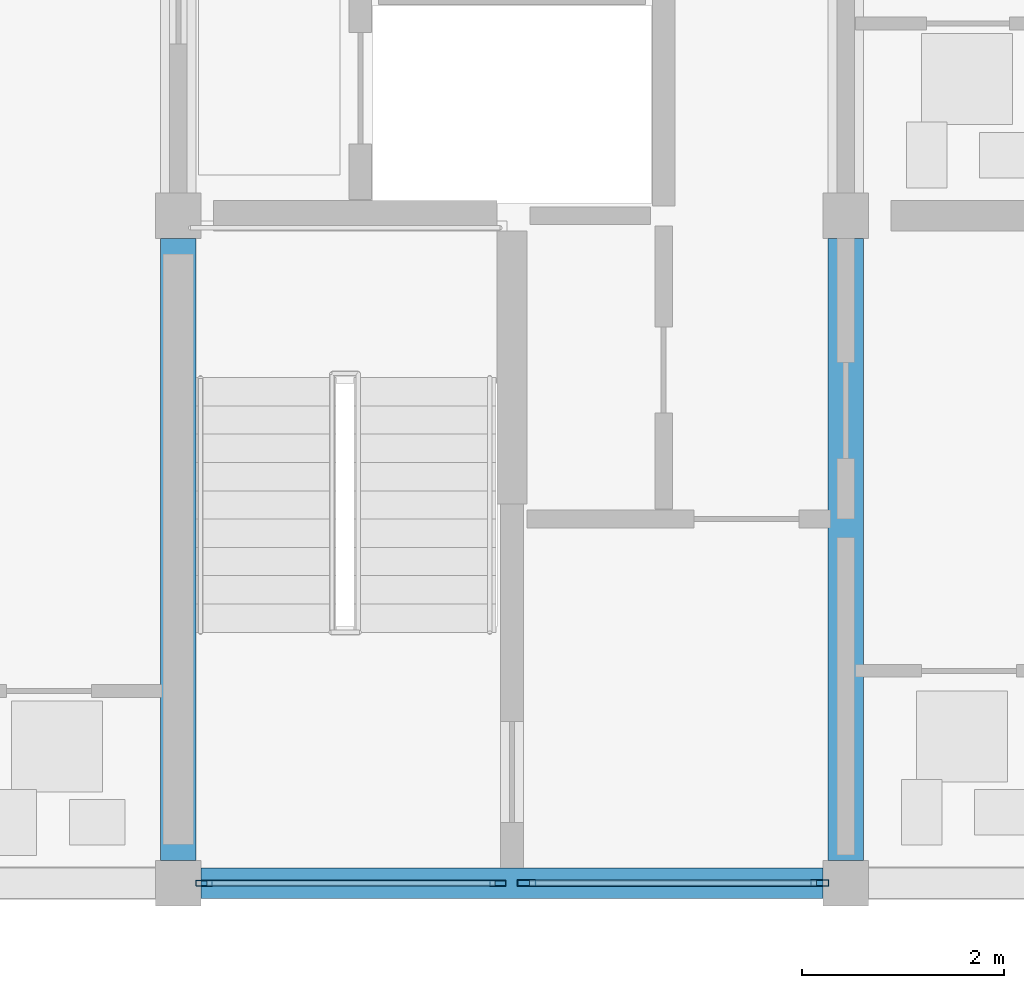
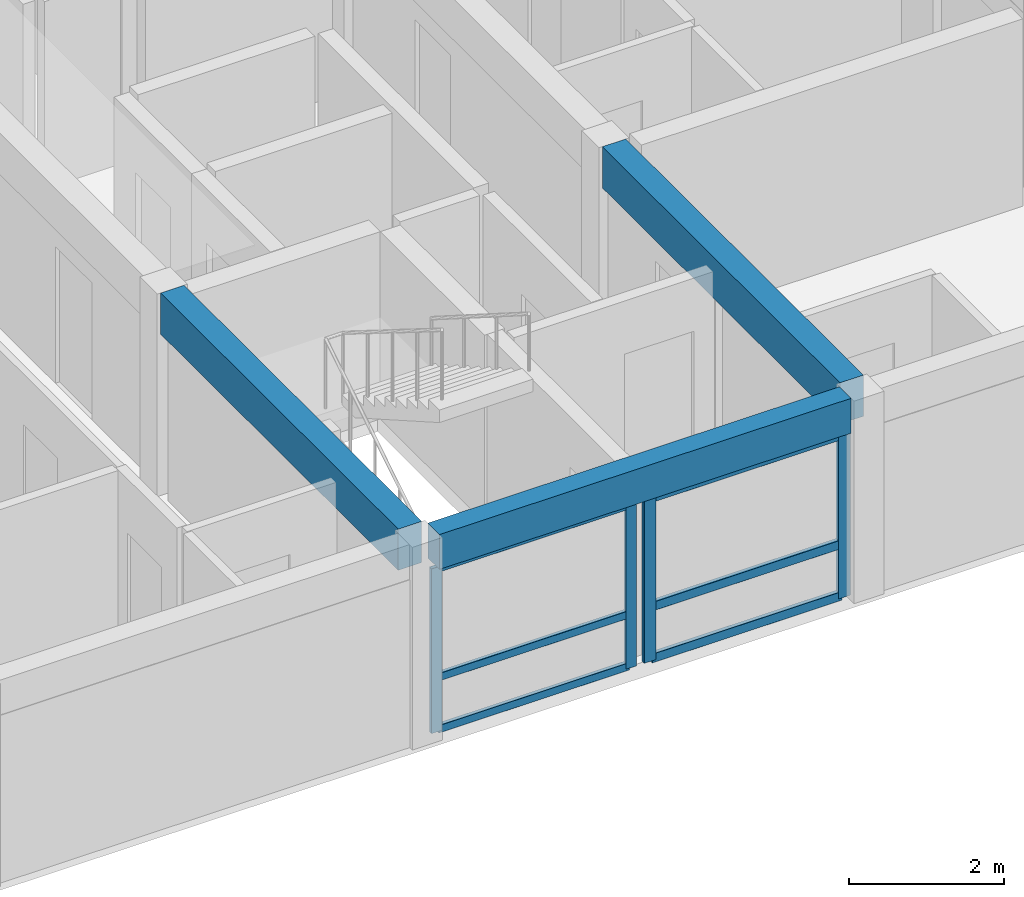
# One storey, part 12 of 53: 10 members, 3 beams, 2 elements without a shape of their own.
"""IFC4 building model written with IfcOpenShell, lengths in metres."""

from ifc_helpers import new_model, si_unit, direction, frame, origin, origin_2d, place, context, subcontext, project, spatial, rectangle, hollow_rectangle, extrude, material, material_profile, profile_set, type_object, element, aggregate, save


model = new_model("IFC4")

# Units and contexts
model_context = context("Model", 3, precision=1e-05, world=origin(), true_north=direction((0.0, 1.0)))
body_context = subcontext(model_context, "Body", "Model", "MODEL_VIEW")
ifc_project = project(units=[si_unit("LENGTHUNIT", "METRE"), si_unit("AREAUNIT", "SQUARE_METRE"), si_unit("VOLUMEUNIT", "CUBIC_METRE"), si_unit("PLANEANGLEUNIT", "RADIAN"), si_unit("MASSUNIT", "GRAM", prefix="KILO")], contexts=[model_context])

# Site, building, storey
site_placement = place(None, origin())
site = spatial("IfcSite", under=ifc_project, at=site_placement, CompositionType="ELEMENT")
building_placement = place(site_placement, origin())
building = spatial("IfcBuilding", under=site, at=building_placement, Name="Kernevlak Ridge Housing Community", CompositionType="ELEMENT")
storey_placement = place(building_placement, frame((0.0, 0.0, 18.0)))
storey = spatial("IfcBuildingStorey", under=building, at=storey_placement, Name="L05", CompositionType="ELEMENT", Elevation=18.0)

# Beams
ifc_material_1 = material(Name="Concrete C35/45", Category="concrete")
ifc_material_profile_1 = material_profile(ifc_material_1, rectangle(XDim=0.35009765625, YDim=0.64990234375, at=origin_2d()), Name="RC 350x650")
ifc_profile_set_1 = profile_set([ifc_material_profile_1], Name="Concrete C35/45")
beam_type_1 = type_object("IfcBeamType", Name="B-02", PredefinedType="BEAM", material=ifc_profile_set_1)
for number, where, z_axis, x_axis, name in (
    (1, (132.60009765625, 15.824951171875, 2.875), (0.0, 1.0, 0.0), (-1.0, 0.0, 0.0), "Beam B-02 L05 1116"),
    (2, (139.199951171875, 15.824951171875, 2.875), (0.0, 1.0, 0.0), (-1.0, 0.0, 0.0), "Beam B-02 L05 1120"),
):
    element("IfcBeam", number, at=place(storey_placement, frame(where, z_axis=z_axis, x_axis=x_axis)), inside=storey, type_object=beam_type_1, Name=name, PredefinedType="BEAM", context=body_context, shape_type="SweptSolid", body=[
        extrude(rectangle(XDim=0.35009765625, YDim=0.64990234375, at=origin_2d()), origin(), (0.0, 0.0, 1.0), 6.150146484375),
    ])

# Curtain wall, members
ifc_material_2 = material(Name="Aluminium EN AW-6060 anodised and laminated glass", Category="aluminium")
curtain_wall_type_1 = type_object("IfcCurtainWallType", Name="CW-07", PredefinedType="NOTDEFINED", material=ifc_material_2)
curtain_wall_1_placement = place(storey_placement, origin())
curtain_wall_1 = element("IfcCurtainWall", 3, at=curtain_wall_1_placement, inside=storey, type_object=curtain_wall_type_1, Name="Curtain wall CW-07 CW-L05-115", PredefinedType="NOTDEFINED")
ifc_material_3 = material(Name="Aluminium EN AW-6060 anodised", Category="aluminium")
ifc_material_profile_2 = material_profile(ifc_material_3, hollow_rectangle(XDim=0.06005859375, YDim=0.159912109375, WallThickness=0.00390625, InnerFilletRadius=0.001953125, OuterFilletRadius=0.00390625, at=origin_2d()), Name="ALU 60x160x4")
ifc_profile_set_2 = profile_set([ifc_material_profile_2], Name="Aluminium EN AW-6060 anodised")
member_type_1 = type_object("IfcMemberType", Name="MU-02", PredefinedType="MULLION", material=ifc_profile_set_2)
member_1_placement = place(storey_placement, frame((132.85498046875, 15.60009765625, 0.0), z_axis=(0.0, 0.0, 1.0), x_axis=(0.0, 1.0, 0.0)))
member_1 = element("IfcMember", 4, at=member_1_placement, type_object=member_type_1, Name="CW-07 mullion 1", PredefinedType="MULLION", context=body_context, shape_type="SweptSolid", body=[
    extrude(hollow_rectangle(XDim=0.06005859375, YDim=0.159912109375, WallThickness=0.00390625, InnerFilletRadius=0.001953125, OuterFilletRadius=0.00390625, at=origin_2d()), origin(), (0.0, 0.0, 1.0), 2.60009765625),
])
member_2_placement = place(storey_placement, frame((135.760009765625, 15.60009765625, 0.0), z_axis=(0.0, 0.0, 1.0), x_axis=(0.0, 1.0, 0.0)))
member_2 = element("IfcMember", 5, at=member_2_placement, type_object=member_type_1, Name="CW-07 mullion 2", PredefinedType="MULLION", context=body_context, shape_type="SweptSolid", body=[
    extrude(hollow_rectangle(XDim=0.06005859375, YDim=0.159912109375, WallThickness=0.00390625, InnerFilletRadius=0.001953125, OuterFilletRadius=0.00390625, at=origin_2d()), origin(), (0.0, 0.0, 1.0), 2.60009765625),
])

curtain_wall_type_2 = type_object("IfcCurtainWallType", Name="CW-12", PredefinedType="NOTDEFINED", material=ifc_material_2)
curtain_wall_2_placement = place(storey_placement, origin())
curtain_wall_2 = element("IfcCurtainWall", 6, at=curtain_wall_2_placement, inside=storey, type_object=curtain_wall_type_2, Name="Curtain wall CW-12 CW-L05-116", PredefinedType="NOTDEFINED")
ifc_material_profile_3 = material_profile(ifc_material_3, hollow_rectangle(XDim=0.06494140625, YDim=0.179931640625, WallThickness=0.00439453125, InnerFilletRadius=0.001953125, OuterFilletRadius=0.00439453125, at=origin_2d()), Name="ALU 65x180x4.5")
ifc_profile_set_3 = profile_set([ifc_material_profile_3], Name="Aluminium EN AW-6060 anodised")
member_type_2 = type_object("IfcMemberType", Name="MU-03", PredefinedType="MULLION", material=ifc_profile_set_3)
member_3_placement = place(storey_placement, frame((136.04248046875, 15.60009765625, 0.0), z_axis=(0.0, 0.0, 1.0), x_axis=(0.0, 1.0, 0.0)))
member_3 = element("IfcMember", 7, at=member_3_placement, type_object=member_type_2, Name="CW-12 mullion 1", PredefinedType="MULLION", context=body_context, shape_type="SweptSolid", body=[
    extrude(hollow_rectangle(XDim=0.06494140625, YDim=0.179931640625, WallThickness=0.00439453125, InnerFilletRadius=0.001953125, OuterFilletRadius=0.00439453125, at=origin_2d()), origin(), (0.0, 0.0, 1.0), 2.60009765625),
])
member_4_placement = place(storey_placement, frame((138.9423828125, 15.60009765625, 0.0), z_axis=(0.0, 0.0, 1.0), x_axis=(0.0, 1.0, 0.0)))
member_4 = element("IfcMember", 8, at=member_4_placement, type_object=member_type_2, Name="CW-12 mullion 2", PredefinedType="MULLION", context=body_context, shape_type="SweptSolid", body=[
    extrude(hollow_rectangle(XDim=0.06494140625, YDim=0.179931640625, WallThickness=0.00439453125, InnerFilletRadius=0.001953125, OuterFilletRadius=0.00439453125, at=origin_2d()), origin(), (0.0, 0.0, 1.0), 2.60009765625),
])

# Beam
ifc_material_profile_4 = material_profile(ifc_material_1, rectangle(XDim=0.300048828125, YDim=0.550048828125, at=origin_2d()), Name="RC 300x550")
ifc_profile_set_4 = profile_set([ifc_material_profile_4], Name="Concrete C35/45")
beam_type_2 = type_object("IfcBeamType", Name="SP-01", PredefinedType="SPANDREL", material=ifc_profile_set_4)
beam_placement = place(storey_placement, frame((132.824951171875, 15.60009765625, 2.925048828125), z_axis=(1.0, 0.0, 0.0), x_axis=(0.0, 1.0, 0.0)))
element("IfcBeam", 9, at=beam_placement, inside=storey, type_object=beam_type_2, Name="Beam SP-01 L05 1129", PredefinedType="SPANDREL", context=body_context, shape_type="SweptSolid", body=[
    extrude(rectangle(XDim=0.300048828125, YDim=0.550048828125, at=origin_2d()), origin(), (0.0, 0.0, 1.0), 6.150146484375),
])

# Member
ifc_material_profile_5 = material_profile(ifc_material_3, hollow_rectangle(XDim=0.06005859375, YDim=0.1201171875, WallThickness=0.00390625, InnerFilletRadius=0.001953125, OuterFilletRadius=0.00390625, at=origin_2d()), Name="ALU 60x120x4")
ifc_profile_set_5 = profile_set([ifc_material_profile_5], Name="Aluminium EN AW-6060 anodised")
member_type_3 = type_object("IfcMemberType", Name="TM-02", PredefinedType="USERDEFINED", material=ifc_profile_set_5)
member_5_placement = place(storey_placement, frame((132.885009765625, 15.60009765625, 0.030029296875), z_axis=(1.0, 0.0, 0.0), x_axis=(0.0, 1.0, 0.0)))
member_5 = element("IfcMember", 10, at=member_5_placement, type_object=member_type_3, Name="CW-07 transom 1.1", ObjectType="TRANSOM", PredefinedType="USERDEFINED", context=body_context, shape_type="SweptSolid", body=[
    extrude(hollow_rectangle(XDim=0.06005859375, YDim=0.1201171875, WallThickness=0.00390625, InnerFilletRadius=0.001953125, OuterFilletRadius=0.00390625, at=origin_2d()), origin(), (0.0, 0.0, 1.0), 2.844970703125),
])

member_6_placement = place(storey_placement, frame((132.885009765625, 15.60009765625, 0.85009765625), z_axis=(1.0, 0.0, 0.0), x_axis=(0.0, 1.0, 0.0)))
member_6 = element("IfcMember", 11, at=member_6_placement, type_object=member_type_3, Name="CW-07 transom 1.2", ObjectType="TRANSOM", PredefinedType="USERDEFINED", context=body_context, shape_type="SweptSolid", body=[
    extrude(hollow_rectangle(XDim=0.06005859375, YDim=0.1201171875, WallThickness=0.00390625, InnerFilletRadius=0.001953125, OuterFilletRadius=0.00390625, at=origin_2d()), origin(), (0.0, 0.0, 1.0), 2.844970703125),
])

member_7_placement = place(storey_placement, frame((132.885009765625, 15.60009765625, 2.570068359375), z_axis=(1.0, 0.0, 0.0), x_axis=(0.0, 1.0, 0.0)))
member_7 = element("IfcMember", 12, at=member_7_placement, type_object=member_type_3, Name="CW-07 transom 1.3", ObjectType="TRANSOM", PredefinedType="USERDEFINED", context=body_context, shape_type="SweptSolid", body=[
    extrude(hollow_rectangle(XDim=0.06005859375, YDim=0.1201171875, WallThickness=0.00390625, InnerFilletRadius=0.001953125, OuterFilletRadius=0.00390625, at=origin_2d()), origin(), (0.0, 0.0, 1.0), 2.844970703125),
])

aggregate(curtain_wall_1, [member_1, member_2, member_5, member_6, member_7])

ifc_material_profile_6 = material_profile(ifc_material_3, hollow_rectangle(XDim=0.06494140625, YDim=0.139892578125, WallThickness=0.00390625, InnerFilletRadius=0.001953125, OuterFilletRadius=0.00390625, at=origin_2d()), Name="ALU 65x140x4")
ifc_profile_set_6 = profile_set([ifc_material_profile_6], Name="Aluminium EN AW-6060 anodised")
member_type_4 = type_object("IfcMemberType", Name="TM-03", PredefinedType="USERDEFINED", material=ifc_profile_set_6)
member_8_placement = place(storey_placement, frame((136.074951171875, 15.60009765625, 0.032470703125), z_axis=(1.0, 0.0, 0.0), x_axis=(0.0, 1.0, 0.0)))
member_8 = element("IfcMember", 13, at=member_8_placement, type_object=member_type_4, Name="CW-12 transom 1.1", ObjectType="TRANSOM", PredefinedType="USERDEFINED", context=body_context, shape_type="SweptSolid", body=[
    extrude(hollow_rectangle(XDim=0.06494140625, YDim=0.139892578125, WallThickness=0.00390625, InnerFilletRadius=0.001953125, OuterFilletRadius=0.00390625, at=origin_2d()), origin(), (0.0, 0.0, 1.0), 2.8349609375),
])

member_9_placement = place(storey_placement, frame((136.074951171875, 15.60009765625, 0.85009765625), z_axis=(1.0, 0.0, 0.0), x_axis=(0.0, 1.0, 0.0)))
member_9 = element("IfcMember", 14, at=member_9_placement, type_object=member_type_4, Name="CW-12 transom 1.2", ObjectType="TRANSOM", PredefinedType="USERDEFINED", context=body_context, shape_type="SweptSolid", body=[
    extrude(hollow_rectangle(XDim=0.06494140625, YDim=0.139892578125, WallThickness=0.00390625, InnerFilletRadius=0.001953125, OuterFilletRadius=0.00390625, at=origin_2d()), origin(), (0.0, 0.0, 1.0), 2.8349609375),
])

member_10_placement = place(storey_placement, frame((136.074951171875, 15.60009765625, 2.5673828125), z_axis=(1.0, 0.0, 0.0), x_axis=(0.0, 1.0, 0.0)))
member_10 = element("IfcMember", 15, at=member_10_placement, type_object=member_type_4, Name="CW-12 transom 1.3", ObjectType="TRANSOM", PredefinedType="USERDEFINED", context=body_context, shape_type="SweptSolid", body=[
    extrude(hollow_rectangle(XDim=0.06494140625, YDim=0.139892578125, WallThickness=0.00390625, InnerFilletRadius=0.001953125, OuterFilletRadius=0.00390625, at=origin_2d()), origin(), (0.0, 0.0, 1.0), 2.8349609375),
])

aggregate(curtain_wall_2, [member_3, member_4, member_8, member_9, member_10])

save(model, "model.ifc")
